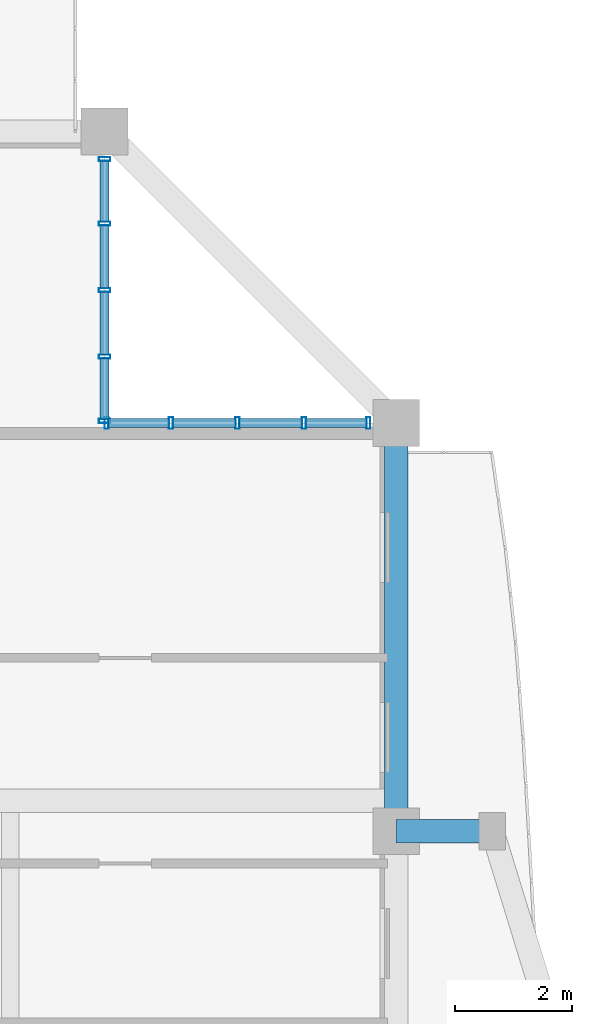
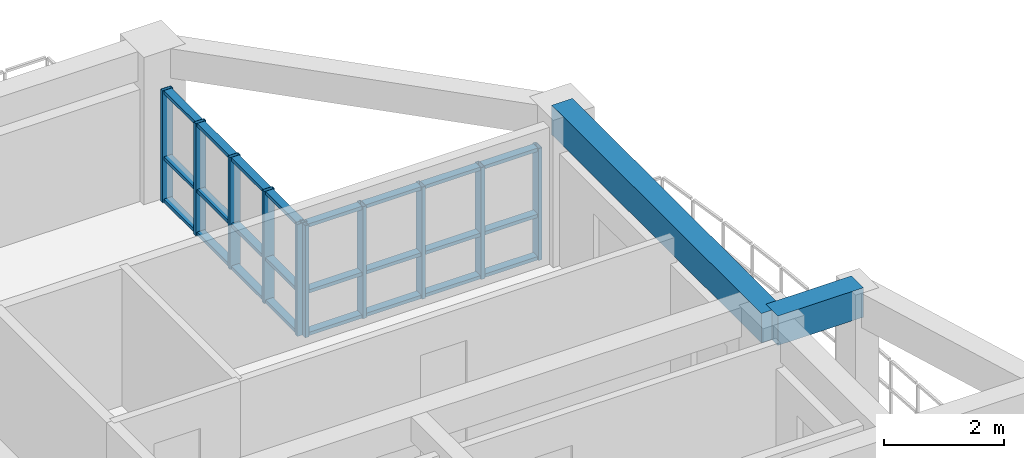
# One storey, part 8 of 22: 34 members, 2 beams, 2 elements without a shape of their own.
"""IFC4 building model written with IfcOpenShell, lengths in metres."""

from ifc_helpers import new_model, si_unit, direction, frame, origin, origin_2d, place, context, subcontext, project, spatial, rectangle, hollow_rectangle, extrude, source, transform, mapped, material, layer, layer_set, material_profile, profile_set, type_object, element, aggregate, save


model = new_model("IFC4")

# Units and contexts
model_context = context("Model", 3, precision=1e-05, world=origin(), true_north=direction((0.0, 1.0)))
body_context = subcontext(model_context, "Body", "Model", "MODEL_VIEW")
ifc_project = project(units=[si_unit("LENGTHUNIT", "METRE"), si_unit("AREAUNIT", "SQUARE_METRE"), si_unit("VOLUMEUNIT", "CUBIC_METRE"), si_unit("PLANEANGLEUNIT", "RADIAN"), si_unit("MASSUNIT", "GRAM", prefix="KILO")], contexts=[model_context])

# Site, building, storey
site_placement = place(None, origin())
site = spatial("IfcSite", under=ifc_project, at=site_placement, CompositionType="ELEMENT")
building_placement = place(site_placement, origin())
building = spatial("IfcBuilding", under=site, at=building_placement, Name="Saelheon Loggia Tower", CompositionType="ELEMENT")
storey_placement = place(building_placement, frame((0.0, 0.0, 176.800048828125)))
storey = spatial("IfcBuildingStorey", under=building, at=storey_placement, Name="L55", CompositionType="ELEMENT", Elevation=176.800048828125)

# Beams
ifc_material_1 = material(Name="Precast Concrete C45/55", Category="concrete")
ifc_material_profile_1 = material_profile(ifc_material_1, rectangle(XDim=0.39990234375, YDim=0.60009765625, at=origin_2d()), Name="RC-400x600")
ifc_profile_set_1 = profile_set([ifc_material_profile_1], Name="Precast Concrete C45/55")
beam_type_1 = type_object("IfcBeamType", Name="Beam_LoggiaTie_RC400x600", PredefinedType="BEAM", material=ifc_profile_set_1)
shared_shape_1 = source(origin(), body_context, "Body", "SweptSolid", [
    extrude(rectangle(XDim=0.39990234375, YDim=0.60009765625, at=origin_2d()), origin(), (0.0, 0.0, 1.0), 1.64990234375),
])
beam_1_placement = place(storey_placement, frame((58.25, 36.0, 2.699951171875), z_axis=(1.0, 0.0, 0.0), x_axis=(0.0, 1.0, 0.0)))
element("IfcBeam", 1, at=beam_1_placement, inside=storey, type_object=beam_type_1, Name="L55 Loggia Frame Tie Beam LP-E2", PredefinedType="BEAM", context=body_context, shape_type="MappedRepresentation", body=[
    mapped(shared_shape_1, transform((0.0, 0.0, 0.0), scale=1.0)),
])
ifc_material_2 = material(Name="Concrete C40/50", Category="concrete")
ifc_material_profile_2 = material_profile(ifc_material_2, rectangle(XDim=0.39990234375, YDim=0.60009765625, at=origin_2d()), Name="RC-400x600")
ifc_profile_set_2 = profile_set([ifc_material_profile_2], Name="Concrete C40/50")
beam_type_2 = type_object("IfcBeamType", Name="Beam_PerimUpper_RC400x600", PredefinedType="BEAM", material=ifc_profile_set_2)
shared_shape_2 = source(origin(), body_context, "Body", "SweptSolid", [
    extrude(rectangle(XDim=0.39990234375, YDim=0.60009765625, at=origin_2d()), origin(), (0.0, 0.0, 1.0), 7.0),
])
beam_2_placement = place(storey_placement, frame((58.25, 36.0, 2.699951171875), z_axis=(0.0, 1.0, 0.0), x_axis=(-1.0, 0.0, 0.0)))
element("IfcBeam", 2, at=beam_2_placement, inside=storey, type_object=beam_type_2, Name="L55 Perimeter Frame Girder 07", PredefinedType="BEAM", context=body_context, shape_type="MappedRepresentation", body=[
    mapped(shared_shape_2, transform((0.0, 0.0, 0.0), scale=1.0)),
])

# Curtain wall, members
ifc_material_3 = material(Name="High-Wind Aluminium and Triple Laminated Glass", Category="aluminium")
ifc_layer = layer(ifc_material_3, 0.179931640625)
ifc_layer_set = layer_set([ifc_layer], Name="High-Wind Aluminium and Triple Laminated Glass")
curtain_wall_type = type_object("IfcCurtainWallType", Name="CW_TowerLoggiaHigh", PredefinedType="NOTDEFINED", material=ifc_layer_set)
curtain_wall_1_placement = place(storey_placement, origin())
curtain_wall_1 = element("IfcCurtainWall", 3, at=curtain_wall_1_placement, inside=storey, type_object=curtain_wall_type, Name="L55 Corner Notch Glazing NE1", PredefinedType="NOTDEFINED")
ifc_material_4 = material(Name="Anodised Aluminium 6063-T6", Category="aluminium")
ifc_material_profile_3 = material_profile(ifc_material_4, hollow_rectangle(XDim=0.070068359375, YDim=0.199951171875, WallThickness=0.0048828125, at=origin_2d()), Name="RHS-200x70x5")
ifc_profile_set_3 = profile_set([ifc_material_profile_3], Name="Anodised Aluminium 6063-T6")
member_type_1 = type_object("IfcMemberType", Name="CW_TowerLoggiaHigh_Mullion", PredefinedType="MULLION", material=ifc_profile_set_3)
shared_shape_3 = source(origin(), body_context, "Body", "SweptSolid", [
    extrude(hollow_rectangle(XDim=0.070068359375, YDim=0.199951171875, WallThickness=0.0048828125, at=origin_2d()), origin(), (0.0, 0.0, 1.0), 2.280029296875),
])
member_1_placement = place(storey_placement, frame((53.25, 43.034912109375, 0.0), z_axis=(0.0, 0.0, 1.0), x_axis=(0.0, 1.0, 0.0)))
member_1 = element("IfcMember", 4, at=member_1_placement, type_object=member_type_1, Name="CW4 mullion 1", PredefinedType="MULLION", context=body_context, shape_type="MappedRepresentation", body=[
    mapped(shared_shape_3, transform((0.0, 0.0, 0.0), scale=1.0)),
])
member_2_placement = place(storey_placement, frame((53.25, 44.139892578125, 0.0), z_axis=(0.0, 0.0, 1.0), x_axis=(0.0, 1.0, 0.0)))
member_2 = element("IfcMember", 5, at=member_2_placement, type_object=member_type_1, Name="CW4 mullion 2", PredefinedType="MULLION", context=body_context, shape_type="MappedRepresentation", body=[
    mapped(shared_shape_3, transform((0.0, 0.0, 0.0), scale=1.0)),
])
member_3_placement = place(storey_placement, frame((53.25, 45.280029296875, 0.0), z_axis=(0.0, 0.0, 1.0), x_axis=(0.0, 1.0, 0.0)))
member_3 = element("IfcMember", 6, at=member_3_placement, type_object=member_type_1, Name="CW4 mullion 3", PredefinedType="MULLION", context=body_context, shape_type="MappedRepresentation", body=[
    mapped(shared_shape_3, transform((0.0, 0.0, 0.0), scale=1.0)),
])
member_4_placement = place(storey_placement, frame((53.25, 46.419921875, 0.0), z_axis=(0.0, 0.0, 1.0), x_axis=(0.0, 1.0, 0.0)))
member_4 = element("IfcMember", 7, at=member_4_placement, type_object=member_type_1, Name="CW4 mullion 4", PredefinedType="MULLION", context=body_context, shape_type="MappedRepresentation", body=[
    mapped(shared_shape_3, transform((0.0, 0.0, 0.0), scale=1.0)),
])
member_5_placement = place(storey_placement, frame((53.25, 47.52490234375, 0.0), z_axis=(0.0, 0.0, 1.0), x_axis=(0.0, 1.0, 0.0)))
member_5 = element("IfcMember", 8, at=member_5_placement, type_object=member_type_1, Name="CW4 mullion 5", PredefinedType="MULLION", context=body_context, shape_type="MappedRepresentation", body=[
    mapped(shared_shape_3, transform((0.0, 0.0, 0.0), scale=1.0)),
])

curtain_wall_2_placement = place(storey_placement, origin())
curtain_wall_2 = element("IfcCurtainWall", 9, at=curtain_wall_2_placement, inside=storey, type_object=curtain_wall_type, Name="L55 Corner Notch Glazing NE2", PredefinedType="NOTDEFINED")
member_6_placement = place(storey_placement, frame((53.284912109375, 43.0, 0.0), z_axis=(0.0, 0.0, 1.0), x_axis=(1.0, 0.0, 0.0)))
member_6 = element("IfcMember", 10, at=member_6_placement, type_object=member_type_1, Name="CW4 mullion 1", PredefinedType="MULLION", context=body_context, shape_type="MappedRepresentation", body=[
    mapped(shared_shape_3, transform((0.0, 0.0, 0.0), scale=1.0)),
])
member_7_placement = place(storey_placement, frame((54.389892578125, 43.0, 0.0), z_axis=(0.0, 0.0, 1.0), x_axis=(1.0, 0.0, 0.0)))
member_7 = element("IfcMember", 11, at=member_7_placement, type_object=member_type_1, Name="CW4 mullion 2", PredefinedType="MULLION", context=body_context, shape_type="MappedRepresentation", body=[
    mapped(shared_shape_3, transform((0.0, 0.0, 0.0), scale=1.0)),
])
member_8_placement = place(storey_placement, frame((55.530029296875, 43.0, 0.0), z_axis=(0.0, 0.0, 1.0), x_axis=(1.0, 0.0, 0.0)))
member_8 = element("IfcMember", 12, at=member_8_placement, type_object=member_type_1, Name="CW4 mullion 3", PredefinedType="MULLION", context=body_context, shape_type="MappedRepresentation", body=[
    mapped(shared_shape_3, transform((0.0, 0.0, 0.0), scale=1.0)),
])
member_9_placement = place(storey_placement, frame((56.669921875, 43.0, 0.0), z_axis=(0.0, 0.0, 1.0), x_axis=(1.0, 0.0, 0.0)))
member_9 = element("IfcMember", 13, at=member_9_placement, type_object=member_type_1, Name="CW4 mullion 4", PredefinedType="MULLION", context=body_context, shape_type="MappedRepresentation", body=[
    mapped(shared_shape_3, transform((0.0, 0.0, 0.0), scale=1.0)),
])
member_10_placement = place(storey_placement, frame((57.77490234375, 43.0, 0.0), z_axis=(0.0, 0.0, 1.0), x_axis=(1.0, 0.0, 0.0)))
member_10 = element("IfcMember", 14, at=member_10_placement, type_object=member_type_1, Name="CW4 mullion 5", PredefinedType="MULLION", context=body_context, shape_type="MappedRepresentation", body=[
    mapped(shared_shape_3, transform((0.0, 0.0, 0.0), scale=1.0)),
])

# Member
ifc_material_profile_4 = material_profile(ifc_material_4, hollow_rectangle(XDim=0.070068359375, YDim=0.14990234375, WallThickness=0.0048828125, at=origin_2d()), Name="RHS-150x70x5")
ifc_profile_set_4 = profile_set([ifc_material_profile_4], Name="Anodised Aluminium 6063-T6")
member_type_2 = type_object("IfcMemberType", Name="CW_TowerLoggiaHigh_Transom", PredefinedType="USERDEFINED", material=ifc_profile_set_4)
shared_shape_4 = source(origin(), body_context, "Body", "SweptSolid", [
    extrude(hollow_rectangle(XDim=0.070068359375, YDim=0.14990234375, WallThickness=0.0048828125, at=origin_2d()), origin(), (0.0, 0.0, 1.0), 1.034912109375),
])
member_11_placement = place(storey_placement, frame((53.25, 43.070068359375, 0.034912109375), z_axis=(0.0, 1.0, 0.0), x_axis=(0.0, 0.0, 1.0)))
member_11 = element("IfcMember", 15, at=member_11_placement, type_object=member_type_2, Name="CW4 transom 1.1", ObjectType="TRANSOM", PredefinedType="USERDEFINED", context=body_context, shape_type="MappedRepresentation", body=[
    mapped(shared_shape_4, transform((0.0, 0.0, 0.0), scale=1.0)),
])

member_12_placement = place(storey_placement, frame((53.25, 43.070068359375, 0.89990234375), z_axis=(0.0, 1.0, 0.0), x_axis=(0.0, 0.0, 1.0)))
member_12 = element("IfcMember", 16, at=member_12_placement, type_object=member_type_2, Name="CW4 transom 1.2", ObjectType="TRANSOM", PredefinedType="USERDEFINED", context=body_context, shape_type="MappedRepresentation", body=[
    mapped(shared_shape_4, transform((0.0, 0.0, 0.0), scale=1.0)),
])

member_13_placement = place(storey_placement, frame((53.25, 43.070068359375, 2.244873046875), z_axis=(0.0, 1.0, 0.0), x_axis=(0.0, 0.0, 1.0)))
member_13 = element("IfcMember", 17, at=member_13_placement, type_object=member_type_2, Name="CW4 transom 1.3", ObjectType="TRANSOM", PredefinedType="USERDEFINED", context=body_context, shape_type="MappedRepresentation", body=[
    mapped(shared_shape_4, transform((0.0, 0.0, 0.0), scale=1.0)),
])

member_14_placement = place(storey_placement, frame((53.25, 46.455078125, 0.034912109375), z_axis=(0.0, 1.0, 0.0), x_axis=(0.0, 0.0, 1.0)))
member_14 = element("IfcMember", 18, at=member_14_placement, type_object=member_type_2, Name="CW4 transom 4.1", ObjectType="TRANSOM", PredefinedType="USERDEFINED", context=body_context, shape_type="MappedRepresentation", body=[
    mapped(shared_shape_4, transform((0.0, 0.0, 0.0), scale=1.0)),
])

member_15_placement = place(storey_placement, frame((53.25, 46.455078125, 0.89990234375), z_axis=(0.0, 1.0, 0.0), x_axis=(0.0, 0.0, 1.0)))
member_15 = element("IfcMember", 19, at=member_15_placement, type_object=member_type_2, Name="CW4 transom 4.2", ObjectType="TRANSOM", PredefinedType="USERDEFINED", context=body_context, shape_type="MappedRepresentation", body=[
    mapped(shared_shape_4, transform((0.0, 0.0, 0.0), scale=1.0)),
])

member_16_placement = place(storey_placement, frame((53.25, 46.455078125, 2.244873046875), z_axis=(0.0, 1.0, 0.0), x_axis=(0.0, 0.0, 1.0)))
member_16 = element("IfcMember", 20, at=member_16_placement, type_object=member_type_2, Name="CW4 transom 4.3", ObjectType="TRANSOM", PredefinedType="USERDEFINED", context=body_context, shape_type="MappedRepresentation", body=[
    mapped(shared_shape_4, transform((0.0, 0.0, 0.0), scale=1.0)),
])

member_17_placement = place(storey_placement, frame((53.320068359375, 43.0, 0.034912109375), z_axis=(1.0, 0.0, 0.0), x_axis=(0.0, 0.0, 1.0)))
member_17 = element("IfcMember", 21, at=member_17_placement, type_object=member_type_2, Name="CW4 transom 1.1", ObjectType="TRANSOM", PredefinedType="USERDEFINED", context=body_context, shape_type="MappedRepresentation", body=[
    mapped(shared_shape_4, transform((0.0, 0.0, 0.0), scale=1.0)),
])

member_18_placement = place(storey_placement, frame((53.320068359375, 43.0, 0.89990234375), z_axis=(1.0, 0.0, 0.0), x_axis=(0.0, 0.0, 1.0)))
member_18 = element("IfcMember", 22, at=member_18_placement, type_object=member_type_2, Name="CW4 transom 1.2", ObjectType="TRANSOM", PredefinedType="USERDEFINED", context=body_context, shape_type="MappedRepresentation", body=[
    mapped(shared_shape_4, transform((0.0, 0.0, 0.0), scale=1.0)),
])

member_19_placement = place(storey_placement, frame((53.320068359375, 43.0, 2.244873046875), z_axis=(1.0, 0.0, 0.0), x_axis=(0.0, 0.0, 1.0)))
member_19 = element("IfcMember", 23, at=member_19_placement, type_object=member_type_2, Name="CW4 transom 1.3", ObjectType="TRANSOM", PredefinedType="USERDEFINED", context=body_context, shape_type="MappedRepresentation", body=[
    mapped(shared_shape_4, transform((0.0, 0.0, 0.0), scale=1.0)),
])

member_20_placement = place(storey_placement, frame((56.705078125, 43.0, 0.034912109375), z_axis=(1.0, 0.0, 0.0), x_axis=(0.0, 0.0, 1.0)))
member_20 = element("IfcMember", 24, at=member_20_placement, type_object=member_type_2, Name="CW4 transom 4.1", ObjectType="TRANSOM", PredefinedType="USERDEFINED", context=body_context, shape_type="MappedRepresentation", body=[
    mapped(shared_shape_4, transform((0.0, 0.0, 0.0), scale=1.0)),
])

member_21_placement = place(storey_placement, frame((56.705078125, 43.0, 0.89990234375), z_axis=(1.0, 0.0, 0.0), x_axis=(0.0, 0.0, 1.0)))
member_21 = element("IfcMember", 25, at=member_21_placement, type_object=member_type_2, Name="CW4 transom 4.2", ObjectType="TRANSOM", PredefinedType="USERDEFINED", context=body_context, shape_type="MappedRepresentation", body=[
    mapped(shared_shape_4, transform((0.0, 0.0, 0.0), scale=1.0)),
])

member_22_placement = place(storey_placement, frame((56.705078125, 43.0, 2.244873046875), z_axis=(1.0, 0.0, 0.0), x_axis=(0.0, 0.0, 1.0)))
member_22 = element("IfcMember", 26, at=member_22_placement, type_object=member_type_2, Name="CW4 transom 4.3", ObjectType="TRANSOM", PredefinedType="USERDEFINED", context=body_context, shape_type="MappedRepresentation", body=[
    mapped(shared_shape_4, transform((0.0, 0.0, 0.0), scale=1.0)),
])

shared_shape_5 = source(origin(), body_context, "Body", "SweptSolid", [
    extrude(hollow_rectangle(XDim=0.070068359375, YDim=0.14990234375, WallThickness=0.0048828125, at=origin_2d()), origin(), (0.0, 0.0, 1.0), 1.070068359375),
])
member_23_placement = place(storey_placement, frame((53.25, 44.175048828125, 0.034912109375), z_axis=(0.0, 1.0, 0.0), x_axis=(0.0, 0.0, 1.0)))
member_23 = element("IfcMember", 27, at=member_23_placement, type_object=member_type_2, Name="CW4 transom 2.1", ObjectType="TRANSOM", PredefinedType="USERDEFINED", context=body_context, shape_type="MappedRepresentation", body=[
    mapped(shared_shape_5, transform((0.0, 0.0, 0.0), scale=1.0)),
])

member_24_placement = place(storey_placement, frame((53.25, 44.175048828125, 0.89990234375), z_axis=(0.0, 1.0, 0.0), x_axis=(0.0, 0.0, 1.0)))
member_24 = element("IfcMember", 28, at=member_24_placement, type_object=member_type_2, Name="CW4 transom 2.2", ObjectType="TRANSOM", PredefinedType="USERDEFINED", context=body_context, shape_type="MappedRepresentation", body=[
    mapped(shared_shape_5, transform((0.0, 0.0, 0.0), scale=1.0)),
])

member_25_placement = place(storey_placement, frame((53.25, 44.175048828125, 2.244873046875), z_axis=(0.0, 1.0, 0.0), x_axis=(0.0, 0.0, 1.0)))
member_25 = element("IfcMember", 29, at=member_25_placement, type_object=member_type_2, Name="CW4 transom 2.3", ObjectType="TRANSOM", PredefinedType="USERDEFINED", context=body_context, shape_type="MappedRepresentation", body=[
    mapped(shared_shape_5, transform((0.0, 0.0, 0.0), scale=1.0)),
])

member_26_placement = place(storey_placement, frame((53.25, 45.31494140625, 0.034912109375), z_axis=(0.0, 1.0, 0.0), x_axis=(0.0, 0.0, 1.0)))
member_26 = element("IfcMember", 30, at=member_26_placement, type_object=member_type_2, Name="CW4 transom 3.1", ObjectType="TRANSOM", PredefinedType="USERDEFINED", context=body_context, shape_type="MappedRepresentation", body=[
    mapped(shared_shape_5, transform((0.0, 0.0, 0.0), scale=1.0)),
])

member_27_placement = place(storey_placement, frame((53.25, 45.31494140625, 0.89990234375), z_axis=(0.0, 1.0, 0.0), x_axis=(0.0, 0.0, 1.0)))
member_27 = element("IfcMember", 31, at=member_27_placement, type_object=member_type_2, Name="CW4 transom 3.2", ObjectType="TRANSOM", PredefinedType="USERDEFINED", context=body_context, shape_type="MappedRepresentation", body=[
    mapped(shared_shape_5, transform((0.0, 0.0, 0.0), scale=1.0)),
])

member_28_placement = place(storey_placement, frame((53.25, 45.31494140625, 2.244873046875), z_axis=(0.0, 1.0, 0.0), x_axis=(0.0, 0.0, 1.0)))
member_28 = element("IfcMember", 32, at=member_28_placement, type_object=member_type_2, Name="CW4 transom 3.3", ObjectType="TRANSOM", PredefinedType="USERDEFINED", context=body_context, shape_type="MappedRepresentation", body=[
    mapped(shared_shape_5, transform((0.0, 0.0, 0.0), scale=1.0)),
])

aggregate(curtain_wall_1, [member_1, member_2, member_3, member_4, member_5, member_11, member_12, member_13, member_23, member_24, member_25, member_26, member_27, member_28, member_14, member_15, member_16])

member_29_placement = place(storey_placement, frame((54.425048828125, 43.0, 0.034912109375), z_axis=(1.0, 0.0, 0.0), x_axis=(0.0, 0.0, 1.0)))
member_29 = element("IfcMember", 33, at=member_29_placement, type_object=member_type_2, Name="CW4 transom 2.1", ObjectType="TRANSOM", PredefinedType="USERDEFINED", context=body_context, shape_type="MappedRepresentation", body=[
    mapped(shared_shape_5, transform((0.0, 0.0, 0.0), scale=1.0)),
])

member_30_placement = place(storey_placement, frame((54.425048828125, 43.0, 0.89990234375), z_axis=(1.0, 0.0, 0.0), x_axis=(0.0, 0.0, 1.0)))
member_30 = element("IfcMember", 34, at=member_30_placement, type_object=member_type_2, Name="CW4 transom 2.2", ObjectType="TRANSOM", PredefinedType="USERDEFINED", context=body_context, shape_type="MappedRepresentation", body=[
    mapped(shared_shape_5, transform((0.0, 0.0, 0.0), scale=1.0)),
])

member_31_placement = place(storey_placement, frame((54.425048828125, 43.0, 2.244873046875), z_axis=(1.0, 0.0, 0.0), x_axis=(0.0, 0.0, 1.0)))
member_31 = element("IfcMember", 35, at=member_31_placement, type_object=member_type_2, Name="CW4 transom 2.3", ObjectType="TRANSOM", PredefinedType="USERDEFINED", context=body_context, shape_type="MappedRepresentation", body=[
    mapped(shared_shape_5, transform((0.0, 0.0, 0.0), scale=1.0)),
])

member_32_placement = place(storey_placement, frame((55.56494140625, 43.0, 0.034912109375), z_axis=(1.0, 0.0, 0.0), x_axis=(0.0, 0.0, 1.0)))
member_32 = element("IfcMember", 36, at=member_32_placement, type_object=member_type_2, Name="CW4 transom 3.1", ObjectType="TRANSOM", PredefinedType="USERDEFINED", context=body_context, shape_type="MappedRepresentation", body=[
    mapped(shared_shape_5, transform((0.0, 0.0, 0.0), scale=1.0)),
])

member_33_placement = place(storey_placement, frame((55.56494140625, 43.0, 0.89990234375), z_axis=(1.0, 0.0, 0.0), x_axis=(0.0, 0.0, 1.0)))
member_33 = element("IfcMember", 37, at=member_33_placement, type_object=member_type_2, Name="CW4 transom 3.2", ObjectType="TRANSOM", PredefinedType="USERDEFINED", context=body_context, shape_type="MappedRepresentation", body=[
    mapped(shared_shape_5, transform((0.0, 0.0, 0.0), scale=1.0)),
])

member_34_placement = place(storey_placement, frame((55.56494140625, 43.0, 2.244873046875), z_axis=(1.0, 0.0, 0.0), x_axis=(0.0, 0.0, 1.0)))
member_34 = element("IfcMember", 38, at=member_34_placement, type_object=member_type_2, Name="CW4 transom 3.3", ObjectType="TRANSOM", PredefinedType="USERDEFINED", context=body_context, shape_type="MappedRepresentation", body=[
    mapped(shared_shape_5, transform((0.0, 0.0, 0.0), scale=1.0)),
])

aggregate(curtain_wall_2, [member_6, member_7, member_8, member_9, member_10, member_17, member_18, member_19, member_29, member_30, member_31, member_32, member_33, member_34, member_20, member_21, member_22])

save(model, "model.ifc")
